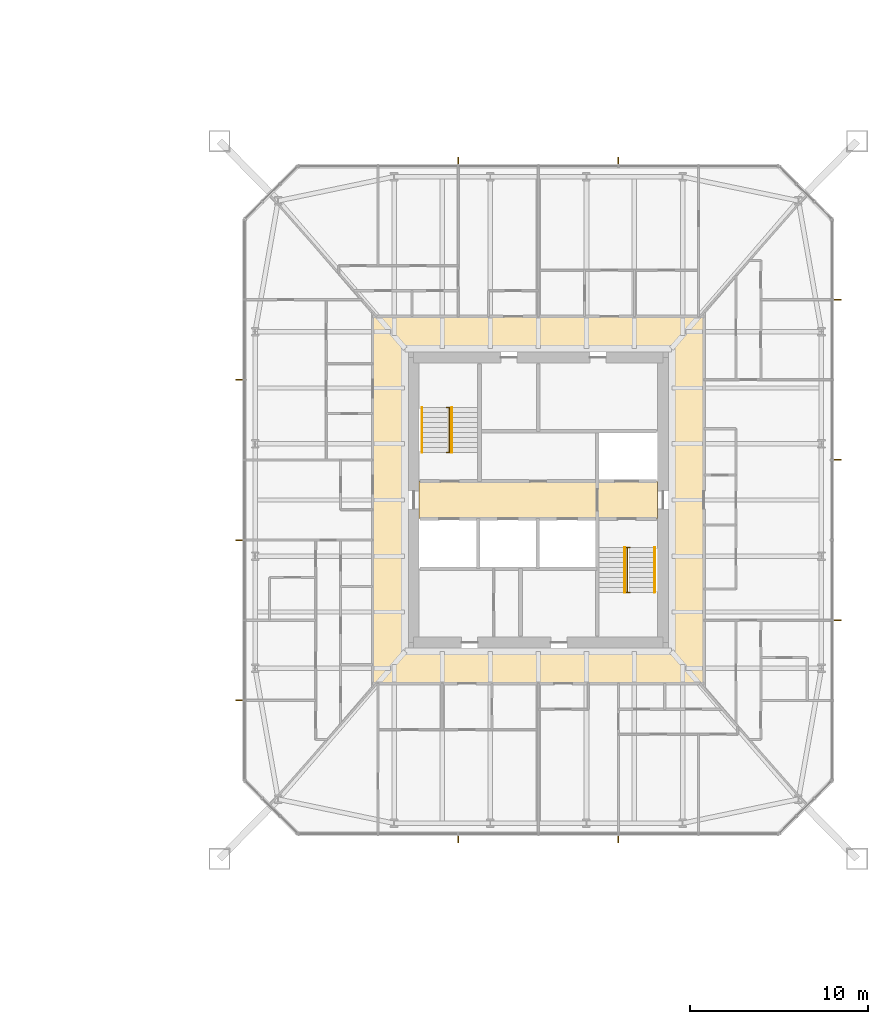
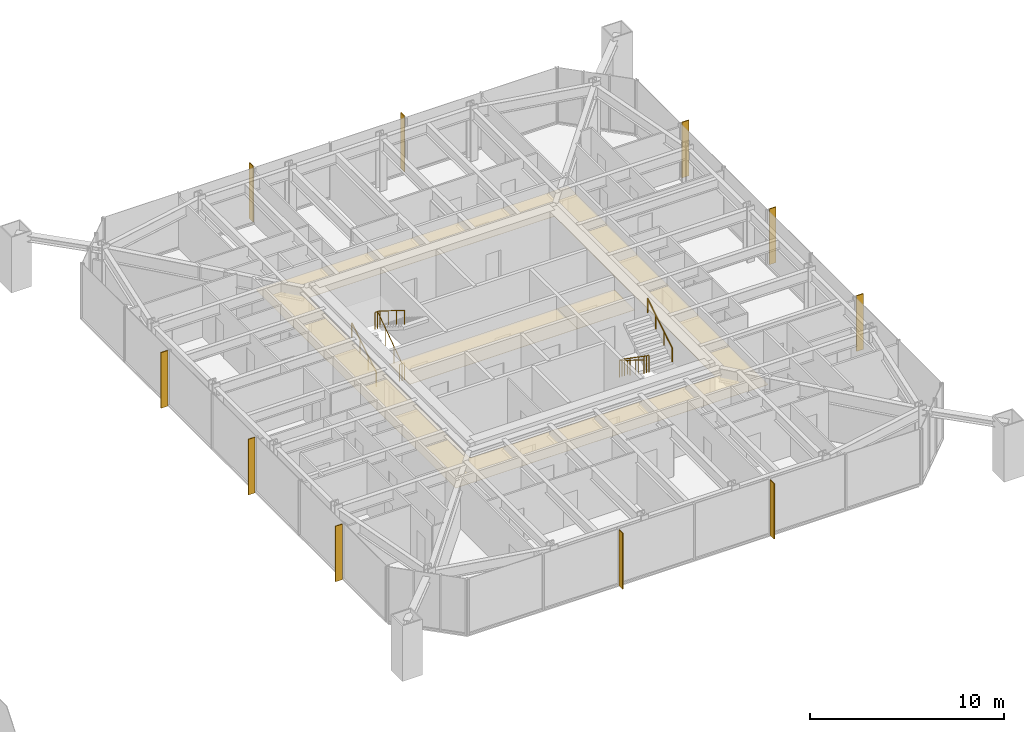
# One storey, part 26 of 26: 10 shading devices, 6 railings, 3 coverings.
"""IFC4 building model written with IfcOpenShell, lengths in metres."""

from ifc_helpers import new_model, si_unit, direction, frame, origin, origin_2d, place, context, subcontext, project, spatial, polyline, rectangle, circle, outline, extrude, material, layer, layer_set, constituent, constituent_set, type_object, element, save


model = new_model("IFC4")

# Units and contexts
model_context = context("Model", 3, precision=1e-05, world=origin(), true_north=direction((0.0, 1.0)))
body_context = subcontext(model_context, "Body", "Model", "MODEL_VIEW")
ifc_project = project(units=[si_unit("LENGTHUNIT", "METRE"), si_unit("AREAUNIT", "SQUARE_METRE"), si_unit("VOLUMEUNIT", "CUBIC_METRE"), si_unit("PLANEANGLEUNIT", "RADIAN"), si_unit("MASSUNIT", "GRAM", prefix="KILO")], contexts=[model_context])

# Site, building, storey
site_placement = place(None, origin())
site = spatial("IfcSite", under=ifc_project, at=site_placement, CompositionType="ELEMENT")
building_placement = place(site_placement, origin())
building = spatial("IfcBuilding", under=site, at=building_placement, Name="Iwan Alto Co-Living Towers", CompositionType="ELEMENT")
storey_placement = place(building_placement, frame((0.0, 0.0, 67.5)))
storey = spatial("IfcBuildingStorey", under=building, at=storey_placement, Name="L18", CompositionType="ELEMENT", Elevation=67.5)

# Coverings
ifc_material_1 = material(Name="Mineral fibre acoustic tiles on steel grid", Category="steel")
ifc_layer_1 = layer(ifc_material_1, 0.02001953125)
ifc_layer_set_1 = layer_set([ifc_layer_1], Name="ACOUSTIC TILE CEILING 20")
covering_type_1 = type_object("IfcCoveringType", Name="ACOUSTIC TILE CEILING 20", PredefinedType="CEILING", material=ifc_layer_set_1)
covering_1_placement = place(storey_placement, frame((0.0, 0.0, 2.60009765625)))
element("IfcCovering", 1, at=covering_1_placement, inside=storey, type_object=covering_type_1, Name="Ceiling Lift lobby L18", PredefinedType="CEILING", context=body_context, shape_type="SweptSolid", body=[
    extrude(outline(polyline([(56.300048828125, -1.050048828125), (56.300048828125, 1.050048828125), (66.300048828125, 1.050048828125), (66.300048828125, -1.050048828125), (56.300048828125, -1.050048828125)])), origin(), (0.0, 0.0, 1.0), 0.02001953125),
])
covering_2_placement = place(storey_placement, frame((0.0, 0.0, 2.60009765625)))
element("IfcCovering", 2, at=covering_2_placement, inside=storey, type_object=covering_type_1, Name="Ceiling Firefighting lobby L18", PredefinedType="CEILING", context=body_context, shape_type="SweptSolid", body=[
    extrude(outline(polyline([(66.300048828125, -1.050048828125), (66.300048828125, 1.050048828125), (69.699951171875, 1.050048828125), (69.699951171875, -1.050048828125), (66.300048828125, -1.050048828125)])), origin(), (0.0, 0.0, 1.0), 0.02001953125),
])

# Shading devices
ifc_material_2 = material(Name="Aluminium 6063-T6 bronze anodised", Category="aluminium")
ifc_layer_2 = layer(ifc_material_2, 0.050048828125)
ifc_layer_set_2 = layer_set([ifc_layer_2], Name="BRONZE FIN 50X400")
shading_device_type = type_object("IfcShadingDeviceType", Name="BRONZE FIN 50X400", PredefinedType="USERDEFINED", material=ifc_layer_set_2)
for number, where, z_axis, x_axis, name in (
    (3, (58.5, -19.050048828125, 0.0), (0.0, 0.0, 1.0), (1.0, 0.0, 0.0), "Bronze fin L18"),
    (4, (67.5, -19.050048828125, 0.0), (0.0, 0.0, 1.0), (1.0, 0.0, 0.0), "Bronze fin L18"),
    (5, (79.800048828125, -6.75, 0.0), (0.0, 0.0, 1.0), (0.0, 1.0, 0.0), "Bronze fin L18"),
    (6, (79.800048828125, 2.25, 0.0), (0.0, 0.0, 1.0), (0.0, 1.0, 0.0), "Bronze fin L18"),
    (7, (79.800048828125, 11.25, 0.0), (0.0, 0.0, 1.0), (0.0, 1.0, 0.0), "Bronze fin L18"),
    (8, (67.5, 19.050048828125, 0.0), (0.0, 0.0, 1.0), (-1.0, 0.0, 0.0), "Bronze fin L18"),
    (9, (58.5, 19.050048828125, 0.0), (0.0, 0.0, 1.0), (-1.0, 0.0, 0.0), "Bronze fin L18"),
    (10, (46.199951171875, 6.75, 0.0), (0.0, 0.0, 1.0), (0.0, -1.0, 0.0), "Bronze fin L18"),
    (11, (46.199951171875, -2.25, 0.0), (0.0, 0.0, 1.0), (0.0, -1.0, 0.0), "Bronze fin L18"),
    (12, (46.199951171875, -11.25, 0.0), (0.0, 0.0, 1.0), (0.0, -1.0, 0.0), "Bronze fin L18"),
):
    element("IfcShadingDevice", number, at=place(storey_placement, frame(where, z_axis=z_axis, x_axis=x_axis)), inside=storey, type_object=shading_device_type, Name=name, ObjectType="LOUVER", PredefinedType="USERDEFINED", context=body_context, shape_type="SweptSolid", body=[
        extrude(rectangle(XDim=0.050048828125, YDim=0.39990234375, at=origin_2d()), origin(), (0.0, 0.0, 1.0), 3.5),
    ])

# Railings
ifc_material_3 = material(Name="Steel ASTM A500 Gr C", Category="steel")
ifc_constituent_1 = constituent(ifc_material_3, Name="Rails and posts", Category="Framing")
ifc_material_4 = material(Name="Steel ASTM A36", Category="steel")
ifc_constituent_2 = constituent(ifc_material_4, Name="Bar infill", Category="Infill")
ifc_constituent_set = constituent_set(constituents=[ifc_constituent_1, ifc_constituent_2], Name="STAIR GUARD 1100")
railing_type_1 = type_object("IfcRailingType", Name="STAIR GUARD 1100", PredefinedType="GUARDRAIL", material=ifc_constituent_set)
railing_1_placement = place(storey_placement, frame((58.0, 2.669921875, 0.0)))
element("IfcRailing", 13, at=railing_1_placement, inside=storey, type_object=railing_type_1, Name="Stair T2-S1 well guard L18", PredefinedType="GUARDRAIL", context=body_context, shape_type="SweptSolid", body=[
    extrude(circle(Radius=0.02392578125, at=origin_2d()), frame((0.0, 0.0, 1.076171875), z_axis=(0.0, 0.821372036852, 0.570392826987), x_axis=(-1.0, 0.0, 0.0)), (0.0, 0.0, 1.0), 3.068115234375),
    extrude(circle(Radius=0.02392578125, at=origin_2d()), frame((-0.14990234375, 0.0, 1.076171875), z_axis=(1.0, 0.0, 0.0), x_axis=(0.0, 1.0, 0.0)), (0.0, 0.0, 1.0), 0.2998046875),
    extrude(circle(Radius=0.02392578125, at=origin_2d()), frame((-0.14990234375, 2.52001953125, 2.826171875), z_axis=(1.0, 0.0, 0.0), x_axis=(0.0, 1.0, 0.0)), (0.0, 0.0, 1.0), 0.2998046875),
    extrude(circle(Radius=0.02099609375, at=origin_2d()), origin(), (0.0, 0.0, 1.0), 1.052001953125),
    extrude(circle(Radius=0.02099609375, at=origin_2d()), frame((0.0, 0.840087890625, 0.583251953125)), (0.0, 0.0, 1.0), 1.052001953125),
    extrude(circle(Radius=0.02099609375, at=origin_2d()), frame((0.0, 1.679931640625, 1.166748046875)), (0.0, 0.0, 1.0), 1.052001953125),
    extrude(circle(Radius=0.02099609375, at=origin_2d()), frame((0.0, 2.52001953125, 1.75)), (0.0, 0.0, 1.0), 1.052001953125),
    extrude(circle(Radius=0.02099609375, at=origin_2d()), frame((-0.14990234375, 0.0, 0.0)), (0.0, 0.0, 1.0), 1.052001953125),
    extrude(circle(Radius=0.02099609375, at=origin_2d()), frame((0.14990234375, 0.0, 0.0)), (0.0, 0.0, 1.0), 1.052001953125),
    extrude(circle(Radius=0.02099609375, at=origin_2d()), frame((-0.14990234375, 2.52001953125, 1.75)), (0.0, 0.0, 1.0), 1.052001953125),
    extrude(circle(Radius=0.02099609375, at=origin_2d()), frame((0.14990234375, 2.52001953125, 1.75)), (0.0, 0.0, 1.0), 1.052001953125),
])
railing_2_placement = place(storey_placement, frame((68.0, -2.669921875, 0.0)))
element("IfcRailing", 14, at=railing_2_placement, inside=storey, type_object=railing_type_1, Name="Stair T2-S2 well guard L18", PredefinedType="GUARDRAIL", context=body_context, shape_type="SweptSolid", body=[
    extrude(circle(Radius=0.02392578125, at=origin_2d()), frame((0.0, 0.0, 1.076171875), z_axis=(0.0, -0.821372036852, 0.570392826987), x_axis=(1.0, 0.0, 0.0)), (0.0, 0.0, 1.0), 3.068115234375),
    extrude(circle(Radius=0.02392578125, at=origin_2d()), frame((-0.14990234375, 0.0, 1.076171875), z_axis=(1.0, 0.0, 0.0), x_axis=(0.0, 1.0, 0.0)), (0.0, 0.0, 1.0), 0.2998046875),
    extrude(circle(Radius=0.02392578125, at=origin_2d()), frame((-0.14990234375, -2.52001953125, 2.826171875), z_axis=(1.0, 0.0, 0.0), x_axis=(0.0, 1.0, 0.0)), (0.0, 0.0, 1.0), 0.2998046875),
    extrude(circle(Radius=0.02099609375, at=origin_2d()), origin(), (0.0, 0.0, 1.0), 1.052001953125),
    extrude(circle(Radius=0.02099609375, at=origin_2d()), frame((0.0, -0.840087890625, 0.583251953125)), (0.0, 0.0, 1.0), 1.052001953125),
    extrude(circle(Radius=0.02099609375, at=origin_2d()), frame((0.0, -1.679931640625, 1.166748046875)), (0.0, 0.0, 1.0), 1.052001953125),
    extrude(circle(Radius=0.02099609375, at=origin_2d()), frame((0.0, -2.52001953125, 1.75)), (0.0, 0.0, 1.0), 1.052001953125),
    extrude(circle(Radius=0.02099609375, at=origin_2d()), frame((-0.14990234375, 0.0, 0.0)), (0.0, 0.0, 1.0), 1.052001953125),
    extrude(circle(Radius=0.02099609375, at=origin_2d()), frame((0.14990234375, 0.0, 0.0)), (0.0, 0.0, 1.0), 1.052001953125),
    extrude(circle(Radius=0.02099609375, at=origin_2d()), frame((-0.14990234375, -2.52001953125, 1.75)), (0.0, 0.0, 1.0), 1.052001953125),
    extrude(circle(Radius=0.02099609375, at=origin_2d()), frame((0.14990234375, -2.52001953125, 1.75)), (0.0, 0.0, 1.0), 1.052001953125),
])
ifc_material_5 = material(Name="Steel ASTM A500 Gr C", Category="steel")
railing_type_2 = type_object("IfcRailingType", Name="STAIR HANDRAIL 900", PredefinedType="HANDRAIL", material=ifc_material_5)
railing_3_placement = place(storey_placement, frame((56.469970703125, 2.669921875, 0.175048828125)))
element("IfcRailing", 15, at=railing_3_placement, inside=storey, type_object=railing_type_2, Name="Stair T2-S1 handrail 1 L18", PredefinedType="HANDRAIL", context=body_context, shape_type="SweptSolid", body=[
    extrude(circle(Radius=0.02392578125, at=origin_2d()), frame((0.0, 0.0, 0.8759765625), z_axis=(0.0, 0.848007534815, 0.529984170421), x_axis=(-1.0, 0.0, 0.0)), (0.0, 0.0, 1.0), 2.9716796875),
    extrude(circle(Radius=0.02099609375, at=origin_2d()), origin(), (0.0, 0.0, 1.0), 0.851806640625),
    extrude(circle(Radius=0.02099609375, at=origin_2d()), frame((0.0, 0.840087890625, 0.52490234375)), (0.0, 0.0, 1.0), 0.851806640625),
    extrude(circle(Radius=0.02099609375, at=origin_2d()), frame((0.0, 1.679931640625, 1.050048828125)), (0.0, 0.0, 1.0), 0.851806640625),
    extrude(circle(Radius=0.02099609375, at=origin_2d()), frame((0.0, 2.52001953125, 1.574951171875)), (0.0, 0.0, 1.0), 0.851806640625),
])
for number, where, name in (
    (16, (58.14990234375, 5.18994140625, 1.925048828125), "Stair T2-S1 handrail 2 L18"),
    (17, (67.85009765625, -2.669921875, 0.175048828125), "Stair T2-S2 handrail 1 L18"),
):
    element("IfcRailing", number, at=place(storey_placement, frame(where)), inside=storey, type_object=railing_type_2, Name=name, PredefinedType="HANDRAIL", context=body_context, shape_type="SweptSolid", body=[
        extrude(circle(Radius=0.02392578125, at=origin_2d()), frame((0.0, 0.0, 0.8759765625), z_axis=(0.0, -0.848007534815, 0.529984170421), x_axis=(1.0, 0.0, 0.0)), (0.0, 0.0, 1.0), 2.9716796875),
        extrude(circle(Radius=0.02099609375, at=origin_2d()), origin(), (0.0, 0.0, 1.0), 0.851806640625),
        extrude(circle(Radius=0.02099609375, at=origin_2d()), frame((0.0, -0.840087890625, 0.52490234375)), (0.0, 0.0, 1.0), 0.851806640625),
        extrude(circle(Radius=0.02099609375, at=origin_2d()), frame((0.0, -1.679931640625, 1.050048828125)), (0.0, 0.0, 1.0), 0.851806640625),
        extrude(circle(Radius=0.02099609375, at=origin_2d()), frame((0.0, -2.52001953125, 1.574951171875)), (0.0, 0.0, 1.0), 0.851806640625),
    ])
railing_4_placement = place(storey_placement, frame((69.530029296875, -5.18994140625, 1.925048828125)))
element("IfcRailing", 18, at=railing_4_placement, inside=storey, type_object=railing_type_2, Name="Stair T2-S2 handrail 2 L18", PredefinedType="HANDRAIL", context=body_context, shape_type="SweptSolid", body=[
    extrude(circle(Radius=0.02392578125, at=origin_2d()), frame((0.0, 0.0, 0.8759765625), z_axis=(0.0, 0.848007534815, 0.529984170421), x_axis=(-1.0, 0.0, 0.0)), (0.0, 0.0, 1.0), 2.9716796875),
    extrude(circle(Radius=0.02099609375, at=origin_2d()), origin(), (0.0, 0.0, 1.0), 0.851806640625),
    extrude(circle(Radius=0.02099609375, at=origin_2d()), frame((0.0, 0.840087890625, 0.52490234375)), (0.0, 0.0, 1.0), 0.851806640625),
    extrude(circle(Radius=0.02099609375, at=origin_2d()), frame((0.0, 1.679931640625, 1.050048828125)), (0.0, 0.0, 1.0), 0.851806640625),
    extrude(circle(Radius=0.02099609375, at=origin_2d()), frame((0.0, 2.52001953125, 1.574951171875)), (0.0, 0.0, 1.0), 0.851806640625),
])

# Covering
ifc_material_6 = material(Name="Gypsum plasterboard on steel grid", Category="steel")
ifc_layer_3 = layer(ifc_material_6, 0.014892578125)
ifc_layer_set_3 = layer_set([ifc_layer_3], Name="SUSPENDED PLASTERBOARD CEILING 15")
covering_type_2 = type_object("IfcCoveringType", Name="SUSPENDED PLASTERBOARD CEILING 15", PredefinedType="CEILING", material=ifc_layer_set_3)
covering_3_placement = place(storey_placement, frame((0.0, 0.0, 2.60009765625)))
element("IfcCovering", 19, at=covering_3_placement, inside=storey, type_object=covering_type_2, Name="Ceiling Corridor L18", PredefinedType="CEILING", context=body_context, shape_type="SweptSolid", body=[
    extrude(outline(polyline([(53.699951171875, 10.300048828125), (72.300048828125, 10.300048828125), (72.300048828125, -10.300048828125), (53.699951171875, -10.300048828125), (53.699951171875, 10.300048828125)]), holes=[polyline([(55.699951171875, 8.300048828125), (55.699951171875, -8.300048828125), (70.300048828125, -8.300048828125), (70.300048828125, 8.300048828125), (55.699951171875, 8.300048828125)])]), origin(), (0.0, 0.0, 1.0), 0.014892578125),
])

save(model, "model.ifc")
